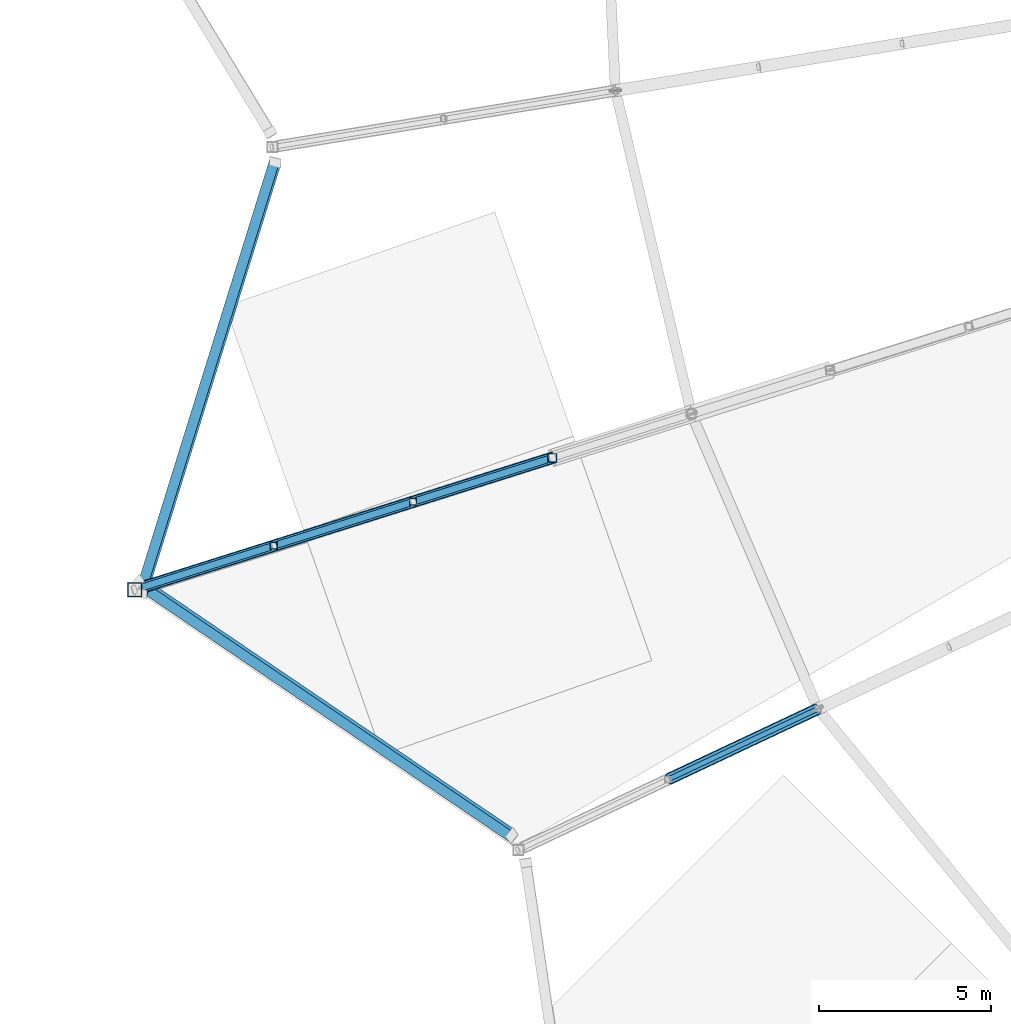
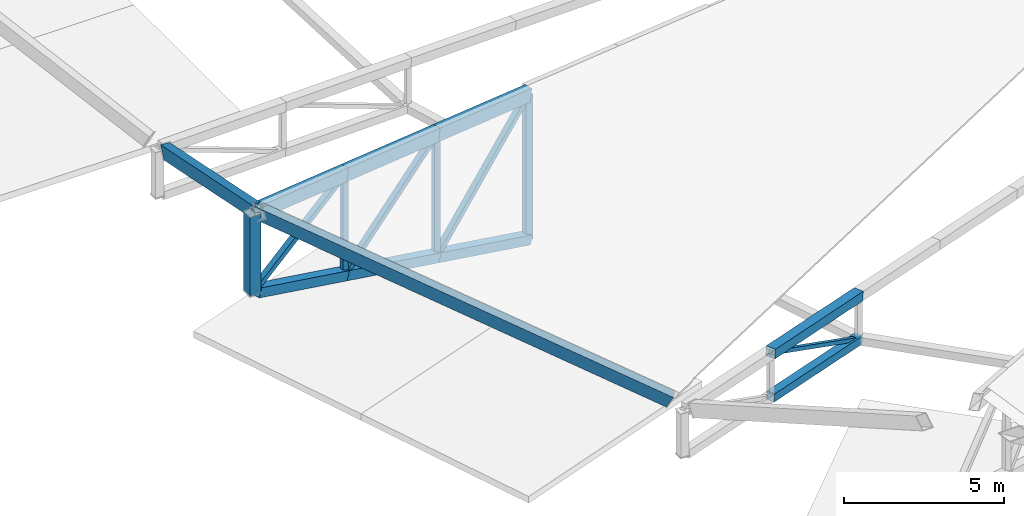
# One storey, part 8 of 188: 16 members, 2 beams.
"""IFC4 building model written with IfcOpenShell, lengths in metres."""

from ifc_helpers import new_model, si_unit, direction, frame, origin, origin_2d, place, context, subcontext, project, spatial, hollow_rectangle, extrude, material, material_profile, profile_set, type_object, element, save


model = new_model("IFC4")

# Units and contexts
model_context = context("Model", 3, precision=1e-05, world=origin(), true_north=direction((0.0, 1.0)))
body_context = subcontext(model_context, "Body", "Model", "MODEL_VIEW")
ifc_project = project(units=[si_unit("LENGTHUNIT", "METRE"), si_unit("AREAUNIT", "SQUARE_METRE"), si_unit("VOLUMEUNIT", "CUBIC_METRE"), si_unit("PLANEANGLEUNIT", "RADIAN"), si_unit("MASSUNIT", "GRAM", prefix="KILO")], contexts=[model_context])

# Site, building, storey
site_placement = place(None, origin())
site = spatial("IfcSite", under=ifc_project, at=site_placement, CompositionType="ELEMENT")
building_placement = place(site_placement, origin())
building = spatial("IfcBuilding", under=site, at=building_placement, Name="Meseta Stadium", CompositionType="ELEMENT")
storey_placement = place(building_placement, frame((0.0, 0.0, 30.0)))
storey = spatial("IfcBuildingStorey", under=building, at=storey_placement, Name="ROOF", CompositionType="ELEMENT", Elevation=30.0)

# Beams
ifc_material_1 = material(Name="Steel S355", Category="steel")
ifc_material_profile_1 = material_profile(ifc_material_1, hollow_rectangle(XDim=0.300048828125, YDim=0.5, WallThickness=0.01611328125, at=origin_2d()), Name="RHS 500x300x16")
ifc_profile_set_1 = profile_set([ifc_material_profile_1], Name="Steel S355")
beam_type = type_object("IfcBeamType", Name="RHS 500x300x16 rim ring beam", PredefinedType="BEAM", material=ifc_profile_set_1)
beam_1_placement = place(storey_placement, frame((-94.2099609375, -55.8857421875, 3.80908203125), z_axis=(-0.264977235842, -0.852369787158, 0.450835680072), x_axis=(0.963992361645, -0.245072414305, 0.103238744846)))
element("IfcBeam", 1, at=beam_1_placement, inside=storey, type_object=beam_type, Name="RIM RING BEAM 38", PredefinedType="BEAM", context=body_context, shape_type="SweptSolid", body=[
    extrude(hollow_rectangle(XDim=0.300048828125, YDim=0.5, WallThickness=0.01611328125, at=origin_2d()), origin(), (0.0, 0.0, 1.0), 14.6728515625),
])
beam_2_placement = place(storey_placement, frame((-98.17724609375, -68.081298828125, 10.43603515625), z_axis=(0.738609490931, -0.501186223842, -0.450852957113), x_axis=(0.617540271977, 0.77124912636, 0.154333397475)))
element("IfcBeam", 2, at=beam_2_placement, inside=storey, type_object=beam_type, Name="RIM RING BEAM 39", PredefinedType="BEAM", context=body_context, shape_type="SweptSolid", body=[
    extrude(hollow_rectangle(XDim=0.300048828125, YDim=0.5, WallThickness=0.01611328125, at=origin_2d()), origin(), (0.0, 0.0, 1.0), 14.672607421875),
])

# Members
ifc_material_2 = material(Name="Steel S355", Category="steel")
ifc_material_profile_2 = material_profile(ifc_material_2, hollow_rectangle(XDim=0.300048828125, YDim=0.5, WallThickness=0.01611328125, at=origin_2d()), Name="RHS 500x300x16")
ifc_profile_set_2 = profile_set([ifc_material_profile_2], Name="Steel S355")
member_type_1 = type_object("IfcMemberType", Name="RHS 500x300x16 top chord", PredefinedType="CHORD", material=ifc_profile_set_2)
member_1_placement = place(storey_placement, frame((-86.16259765625, -64.4677734375, 8.404052734375), z_axis=(-0.941778847197, -0.297376907729, 0.156906270496), x_axis=(0.301106564665, -0.953590497391, 0.0)))
element("IfcMember", 3, at=member_1_placement, inside=storey, type_object=member_type_1, Name="ROOF TRUSS RT-38 top chord", PredefinedType="CHORD", context=body_context, shape_type="SweptSolid", body=[
    extrude(hollow_rectangle(XDim=0.300048828125, YDim=0.5, WallThickness=0.01611328125, at=origin_2d()), origin(), (0.0, 0.0, 1.0), 4.29296875),
])
member_2_placement = place(storey_placement, frame((-90.20556640625, -65.744384765625, 9.07763671875), z_axis=(-0.941780820573, -0.297395489509, 0.156859200624), x_axis=(0.301123099749, -0.953585276102, 0.0)))
element("IfcMember", 4, at=member_2_placement, inside=storey, type_object=member_type_1, Name="ROOF TRUSS RT-38 top chord", PredefinedType="CHORD", context=body_context, shape_type="SweptSolid", body=[
    extrude(hollow_rectangle(XDim=0.300048828125, YDim=0.5, WallThickness=0.01611328125, at=origin_2d()), origin(), (0.0, 0.0, 1.0), 4.292724609375),
])
member_3_placement = place(storey_placement, frame((-94.248291015625, -67.02099609375, 9.7509765625), z_axis=(-0.941786082146, -0.297365316664, 0.156884810998), x_axis=(0.301093788888, -0.953594531388, 0.0)))
element("IfcMember", 5, at=member_3_placement, inside=storey, type_object=member_type_1, Name="ROOF TRUSS RT-38 top chord", PredefinedType="CHORD", context=body_context, shape_type="SweptSolid", body=[
    extrude(hollow_rectangle(XDim=0.300048828125, YDim=0.5, WallThickness=0.01611328125, at=origin_2d()), origin(), (0.0, 0.0, 1.0), 4.0927734375),
])
ifc_material_3 = material(Name="Steel S355", Category="steel")
ifc_material_profile_3 = material_profile(ifc_material_3, hollow_rectangle(XDim=0.139892578125, YDim=0.139892578125, WallThickness=0.0048828125, at=origin_2d()), Name="SHS 140x140x5")
ifc_profile_set_3 = profile_set([ifc_material_profile_3], Name="Steel S355")
member_type_2 = type_object("IfcMemberType", Name="SHS 140x140x5 diagonal", PredefinedType="BRACE", material=ifc_profile_set_3)
member_4_placement = place(storey_placement, frame((-78.4453125, -71.756103515625, 0.785400390625), z_axis=(-0.820460556715, -0.386461818122, 0.421297683366), x_axis=(0.426124454382, -0.904664550747, 0.0)))
element("IfcMember", 6, at=member_4_placement, inside=storey, type_object=member_type_2, Name="ROOF TRUSS RT-39 diagonal", PredefinedType="BRACE", context=body_context, shape_type="SweptSolid", body=[
    extrude(hollow_rectangle(XDim=0.139892578125, YDim=0.139892578125, WallThickness=0.0048828125, at=origin_2d()), origin(), (0.0, 0.0, 1.0), 5.30517578125),
])
ifc_material_4 = material(Name="Steel S355", Category="steel")
ifc_material_profile_4 = material_profile(ifc_material_4, hollow_rectangle(XDim=0.199951171875, YDim=0.199951171875, WallThickness=0.008056640625, at=origin_2d()), Name="SHS 200x200x8")
ifc_profile_set_4 = profile_set([ifc_material_profile_4], Name="Steel S355")
member_type_3 = type_object("IfcMemberType", Name="SHS 200x200x8 diagonal", PredefinedType="BRACE", material=ifc_profile_set_4)
member_5_placement = place(storey_placement, frame((-86.16259765625, -64.4677734375, 8.404052734375), z_axis=(-0.694173503275, -0.219192829023, -0.685622090554), x_axis=(0.301106564665, -0.953590497391, 0.0)))
element("IfcMember", 7, at=member_5_placement, inside=storey, type_object=member_type_3, Name="ROOF TRUSS RT-38 diagonal", PredefinedType="BRACE", context=body_context, shape_type="SweptSolid", body=[
    extrude(hollow_rectangle(XDim=0.199951171875, YDim=0.199951171875, WallThickness=0.008056640625, at=origin_2d()), origin(), (0.0, 0.0, 1.0), 5.82421875),
])
member_6_placement = place(storey_placement, frame((-90.20556640625, -65.744384765625, 9.07763671875), z_axis=(-0.764571271656, -0.241436269067, -0.597611327317), x_axis=(0.301123099749, -0.953585276102, 0.0)))
element("IfcMember", 8, at=member_6_placement, inside=storey, type_object=member_type_3, Name="ROOF TRUSS RT-38 diagonal", PredefinedType="BRACE", context=body_context, shape_type="SweptSolid", body=[
    extrude(hollow_rectangle(XDim=0.199951171875, YDim=0.199951171875, WallThickness=0.008056640625, at=origin_2d()), origin(), (0.0, 0.0, 1.0), 5.28759765625),
])
member_7_placement = place(storey_placement, frame((-94.248291015625, -67.02099609375, 9.7509765625), z_axis=(-0.835999396133, -0.263941351711, -0.481082085014), x_axis=(0.301070732977, -0.953601810896, 0.0)))
element("IfcMember", 9, at=member_7_placement, inside=storey, type_object=member_type_3, Name="ROOF TRUSS RT-38 diagonal", PredefinedType="BRACE", context=body_context, shape_type="SweptSolid", body=[
    extrude(hollow_rectangle(XDim=0.199951171875, YDim=0.199951171875, WallThickness=0.008056640625, at=origin_2d()), origin(), (0.0, 0.0, 1.0), 4.835693359375),
])
ifc_material_5 = material(Name="Steel S355", Category="steel")
ifc_material_profile_5 = material_profile(ifc_material_5, hollow_rectangle(XDim=0.199951171875, YDim=0.199951171875, WallThickness=0.008056640625, at=origin_2d()), Name="SHS 200x200x8")
ifc_profile_set_5 = profile_set([ifc_material_profile_5], Name="Steel S355")
member_type_4 = type_object("IfcMemberType", Name="SHS 200x200x8 post", PredefinedType="POST", material=ifc_profile_set_5)
member_8_placement = place(storey_placement, frame((-90.20556640625, -65.744384765625, 4.410888671875), z_axis=(0.0, 0.0, 1.0), x_axis=(1.0, 0.0, 0.0)))
element("IfcMember", 10, at=member_8_placement, inside=storey, type_object=member_type_4, Name="ROOF TRUSS RT-38 post", PredefinedType="POST", context=body_context, shape_type="SweptSolid", body=[
    extrude(hollow_rectangle(XDim=0.199951171875, YDim=0.199951171875, WallThickness=0.008056640625, at=origin_2d()), origin(), (0.0, 0.0, 1.0), 4.666748046875),
])
member_9_placement = place(storey_placement, frame((-94.248291015625, -67.02099609375, 5.917724609375), z_axis=(0.0, 0.0, 1.0), x_axis=(1.0, 0.0, 0.0)))
element("IfcMember", 11, at=member_9_placement, inside=storey, type_object=member_type_4, Name="ROOF TRUSS RT-38 post", PredefinedType="POST", context=body_context, shape_type="SweptSolid", body=[
    extrude(hollow_rectangle(XDim=0.199951171875, YDim=0.199951171875, WallThickness=0.008056640625, at=origin_2d()), origin(), (0.0, 0.0, 1.0), 3.833251953125),
])
ifc_material_6 = material(Name="Steel S355", Category="steel")
ifc_material_profile_6 = material_profile(ifc_material_6, hollow_rectangle(XDim=0.25, YDim=0.25, WallThickness=0.010009765625, at=origin_2d()), Name="SHS 250x250x10")
ifc_profile_set_6 = profile_set([ifc_material_profile_6], Name="Steel S355")
member_type_5 = type_object("IfcMemberType", Name="SHS 250x250x10 post", PredefinedType="POST", material=ifc_profile_set_6)
member_10_placement = place(storey_placement, frame((-86.16259765625, -64.4677734375, 2.904052734375), z_axis=(0.0, 0.0, 1.0), x_axis=(1.0, 0.0, 0.0)))
element("IfcMember", 12, at=member_10_placement, inside=storey, type_object=member_type_5, Name="ROOF TRUSS RT-38 post", PredefinedType="POST", context=body_context, shape_type="SweptSolid", body=[
    extrude(hollow_rectangle(XDim=0.25, YDim=0.25, WallThickness=0.010009765625, at=origin_2d()), origin(), (0.0, 0.0, 1.0), 5.5),
])
ifc_material_7 = material(Name="Steel S355", Category="steel")
ifc_material_profile_7 = material_profile(ifc_material_7, hollow_rectangle(XDim=0.300048828125, YDim=0.300048828125, WallThickness=0.010009765625, at=origin_2d()), Name="SHS 300x300x10")
ifc_profile_set_7 = profile_set([ifc_material_profile_7], Name="Steel S355")
member_type_6 = type_object("IfcMemberType", Name="SHS 300x300x10 bottom chord", PredefinedType="CHORD", material=ifc_profile_set_7)
member_11_placement = place(storey_placement, frame((-78.4453125, -71.756103515625, 0.785400390625), z_axis=(-0.898696569588, -0.423313354165, 0.114674670246), x_axis=(0.426124454382, -0.904664550747, 0.0)))
element("IfcMember", 13, at=member_11_placement, inside=storey, type_object=member_type_6, Name="ROOF TRUSS RT-39 bottom chord", PredefinedType="CHORD", context=body_context, shape_type="SweptSolid", body=[
    extrude(hollow_rectangle(XDim=0.300048828125, YDim=0.300048828125, WallThickness=0.010009765625, at=origin_2d()), origin(), (0.0, 0.0, 1.0), 4.843505859375),
])
ifc_material_8 = material(Name="Steel S355", Category="steel")
ifc_material_profile_8 = material_profile(ifc_material_8, hollow_rectangle(XDim=0.35009765625, YDim=0.35009765625, WallThickness=0.010009765625, at=origin_2d()), Name="SHS 350x350x10")
ifc_profile_set_8 = profile_set([ifc_material_profile_8], Name="Steel S355")
member_type_7 = type_object("IfcMemberType", Name="SHS 350x350x10 bottom chord", PredefinedType="CHORD", material=ifc_profile_set_8)
member_12_placement = place(storey_placement, frame((-86.16259765625, -64.4677734375, 2.904052734375), z_axis=(-0.898528747696, -0.283720218702, 0.334886439057), x_axis=(0.301106564665, -0.953590497391, 0.0)))
element("IfcMember", 14, at=member_12_placement, inside=storey, type_object=member_type_7, Name="ROOF TRUSS RT-38 bottom chord", PredefinedType="CHORD", context=body_context, shape_type="SweptSolid", body=[
    extrude(hollow_rectangle(XDim=0.35009765625, YDim=0.35009765625, WallThickness=0.010009765625, at=origin_2d()), origin(), (0.0, 0.0, 1.0), 4.49951171875),
])
member_13_placement = place(storey_placement, frame((-90.20556640625, -65.744384765625, 4.410888671875), z_axis=(-0.898518294151, -0.28373405158, 0.334902766562), x_axis=(0.301123099749, -0.953585276102, 0.0)))
element("IfcMember", 15, at=member_13_placement, inside=storey, type_object=member_type_7, Name="ROOF TRUSS RT-38 bottom chord", PredefinedType="CHORD", context=body_context, shape_type="SweptSolid", body=[
    extrude(hollow_rectangle(XDim=0.35009765625, YDim=0.35009765625, WallThickness=0.010009765625, at=origin_2d()), origin(), (0.0, 0.0, 1.0), 4.499267578125),
])
member_14_placement = place(storey_placement, frame((-94.248291015625, -67.02099609375, 5.917724609375), z_axis=(-0.898538265104, -0.283707082883, 0.334872031177), x_axis=(0.301090987654, -0.953595415862, 0.0)))
element("IfcMember", 16, at=member_14_placement, inside=storey, type_object=member_type_7, Name="ROOF TRUSS RT-38 bottom chord", PredefinedType="CHORD", context=body_context, shape_type="SweptSolid", body=[
    extrude(hollow_rectangle(XDim=0.35009765625, YDim=0.35009765625, WallThickness=0.010009765625, at=origin_2d()), origin(), (0.0, 0.0, 1.0), 4.29931640625),
])
ifc_material_9 = material(Name="Steel S355", Category="steel")
ifc_material_profile_9 = material_profile(ifc_material_9, hollow_rectangle(XDim=0.35009765625, YDim=0.35009765625, WallThickness=0.010009765625, at=origin_2d()), Name="SHS 350x350x10")
ifc_profile_set_9 = profile_set([ifc_material_profile_9], Name="Steel S355")
member_type_8 = type_object("IfcMemberType", Name="SHS 350x350x10 top chord", PredefinedType="CHORD", material=ifc_profile_set_9)
member_15_placement = place(storey_placement, frame((-78.4453125, -71.756103515625, 2.465087890625), z_axis=(-0.898696569588, -0.423313354165, 0.114674670246), x_axis=(0.426124454382, -0.904664550747, 0.0)))
element("IfcMember", 17, at=member_15_placement, inside=storey, type_object=member_type_8, Name="ROOF TRUSS RT-39 top chord", PredefinedType="CHORD", context=body_context, shape_type="SweptSolid", body=[
    extrude(hollow_rectangle(XDim=0.35009765625, YDim=0.35009765625, WallThickness=0.010009765625, at=origin_2d()), origin(), (0.0, 0.0, 1.0), 4.843505859375),
])
ifc_material_10 = material(Name="Steel S355", Category="steel")
ifc_material_profile_10 = material_profile(ifc_material_10, hollow_rectangle(XDim=0.39990234375, YDim=0.39990234375, WallThickness=0.01416015625, at=origin_2d()), Name="SHS 400x400x14.2")
ifc_profile_set_10 = profile_set([ifc_material_profile_10], Name="Steel S355")
member_type_9 = type_object("IfcMemberType", Name="SHS 400x400x14.2 rim post", PredefinedType="POST", material=ifc_profile_set_10)
member_16_placement = place(storey_placement, frame((-98.291015625, -68.29736328125, 7.424560546875), z_axis=(0.0, 0.0, 1.0), x_axis=(1.0, 0.0, 0.0)))
element("IfcMember", 18, at=member_16_placement, inside=storey, type_object=member_type_9, Name="ROOF TRUSS RT-38 post", PredefinedType="POST", context=body_context, shape_type="SweptSolid", body=[
    extrude(hollow_rectangle(XDim=0.39990234375, YDim=0.39990234375, WallThickness=0.01416015625, at=origin_2d()), origin(), (0.0, 0.0, 1.0), 3.0),
])

save(model, "model.ifc")
